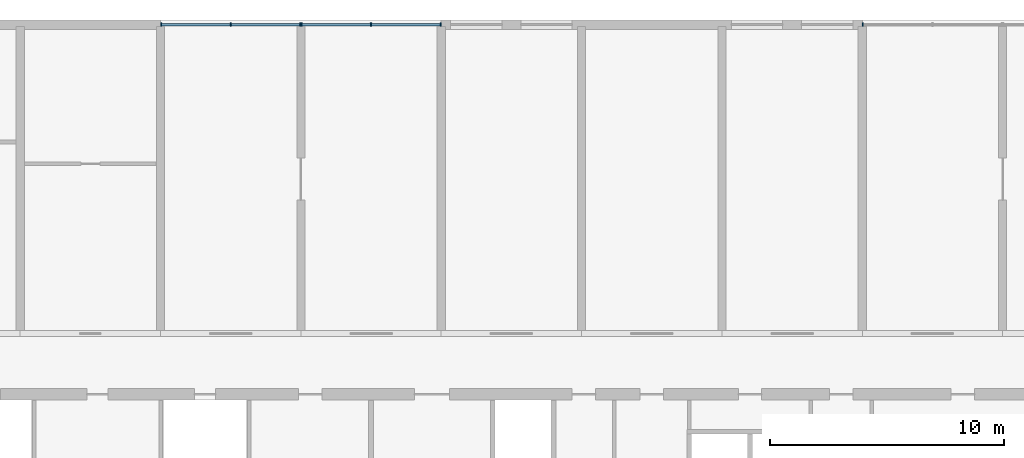
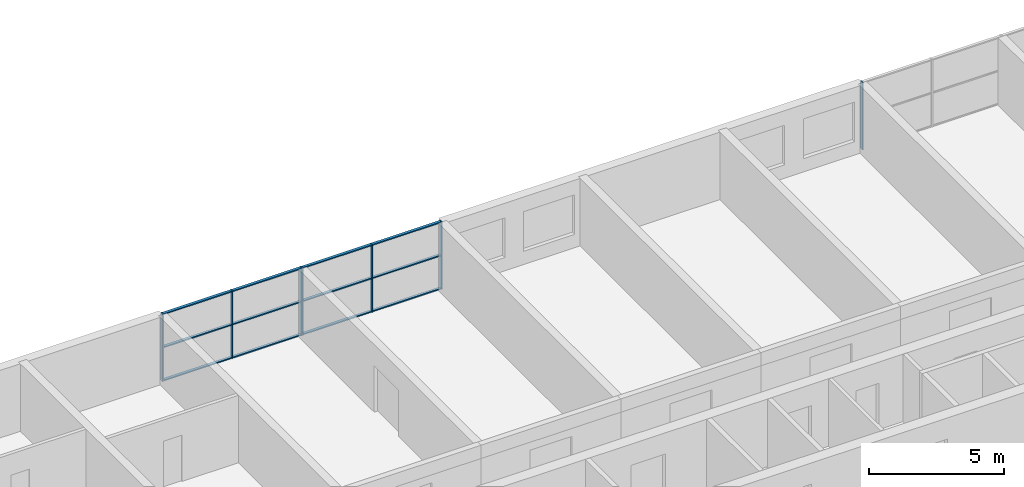
# One storey, part 2 of 18: 19 members, 3 elements without a shape of their own.
"""IFC4 building model written with IfcOpenShell, lengths in metres."""

from ifc_helpers import new_model, si_unit, direction, frame, origin, origin_2d, place, context, subcontext, project, spatial, rectangle, extrude, material, layer, layer_set, material_profile, profile_set, type_object, element, aggregate, save


model = new_model("IFC4")

# Units and contexts
model_context = context("Model", 3, precision=1e-05, world=origin(), true_north=direction((0.0, 1.0)))
body_context = subcontext(model_context, "Body", "Model", "MODEL_VIEW")
ifc_project = project(units=[si_unit("LENGTHUNIT", "METRE"), si_unit("AREAUNIT", "SQUARE_METRE"), si_unit("VOLUMEUNIT", "CUBIC_METRE"), si_unit("PLANEANGLEUNIT", "RADIAN"), si_unit("MASSUNIT", "GRAM", prefix="KILO")], contexts=[model_context])

# Site, building, storey
site_placement = place(None, origin())
site = spatial("IfcSite", under=ifc_project, at=site_placement, CompositionType="ELEMENT")
building_placement = place(site_placement, origin())
building = spatial("IfcBuilding", under=site, at=building_placement, Name="Poui Terraces", CompositionType="ELEMENT")
storey_placement = place(building_placement, frame((0.0, 0.0, 105.89990234375)))
storey = spatial("IfcBuildingStorey", under=building, at=storey_placement, Name="L29", CompositionType="ELEMENT", Elevation=105.89990234375)

# Curtain wall, members
ifc_material_1 = material(Name="Clear glass", Category="glass")
ifc_layer = layer(ifc_material_1, 0.14990234375)
ifc_layer_set = layer_set([ifc_layer], Name="Clear glass")
curtain_wall_type = type_object("IfcCurtainWallType", Name="CURTAIN WALL CW-C COMMUNITY HALL GLAZING", PredefinedType="NOTDEFINED", material=ifc_layer_set)
curtain_wall_1_placement = place(storey_placement, origin())
curtain_wall_1 = element("IfcCurtainWall", 1, at=curtain_wall_1_placement, inside=storey, type_object=curtain_wall_type, Name="CW-C COMMUNITY HALL GLAZING", PredefinedType="NOTDEFINED")
ifc_material_2 = material(Name="Aluminium frame", Category="aluminium")
ifc_material_profile_1 = material_profile(ifc_material_2, rectangle(XDim=0.14990234375, YDim=0.050048828125, at=origin_2d()), Name="CW-C MULLION 50X150")
ifc_profile_set_1 = profile_set([ifc_material_profile_1], Name="Aluminium frame")
member_type_1 = type_object("IfcMemberType", Name="CW-C MULLION 50X150", PredefinedType="MULLION", material=ifc_profile_set_1)
member_1_placement = place(storey_placement, frame((35.97509765625, 43.60009765625, 0.0), z_axis=(0.0, 0.0, 1.0), x_axis=(0.0, -1.0, 0.0)))
member_1 = element("IfcMember", 2, at=member_1_placement, type_object=member_type_1, Name="CW-C mullion 1", PredefinedType="MULLION", context=body_context, shape_type="SweptSolid", body=[
    extrude(rectangle(XDim=0.14990234375, YDim=0.050048828125, at=origin_2d()), origin(), (0.0, 0.0, 1.0), 3.06005859375),
])
member_2_placement = place(storey_placement, frame((33.0, 43.60009765625, 0.0), z_axis=(0.0, 0.0, 1.0), x_axis=(0.0, -1.0, 0.0)))
member_2 = element("IfcMember", 3, at=member_2_placement, type_object=member_type_1, Name="CW-C mullion 2", PredefinedType="MULLION", context=body_context, shape_type="SweptSolid", body=[
    extrude(rectangle(XDim=0.14990234375, YDim=0.050048828125, at=origin_2d()), origin(), (0.0, 0.0, 1.0), 3.06005859375),
])
member_3_placement = place(storey_placement, frame((30.02490234375, 43.60009765625, 0.0), z_axis=(0.0, 0.0, 1.0), x_axis=(0.0, -1.0, 0.0)))
member_3 = element("IfcMember", 4, at=member_3_placement, type_object=member_type_1, Name="CW-C mullion 3", PredefinedType="MULLION", context=body_context, shape_type="SweptSolid", body=[
    extrude(rectangle(XDim=0.14990234375, YDim=0.050048828125, at=origin_2d()), origin(), (0.0, 0.0, 1.0), 3.06005859375),
])

curtain_wall_2_placement = place(storey_placement, origin())
curtain_wall_2 = element("IfcCurtainWall", 5, at=curtain_wall_2_placement, inside=storey, type_object=curtain_wall_type, Name="CW-C COMMUNITY HALL GLAZING", PredefinedType="NOTDEFINED")
member_4_placement = place(storey_placement, frame((41.97509765625, 43.60009765625, 0.0), z_axis=(0.0, 0.0, 1.0), x_axis=(0.0, -1.0, 0.0)))
member_4 = element("IfcMember", 6, at=member_4_placement, type_object=member_type_1, Name="CW-C mullion 1", PredefinedType="MULLION", context=body_context, shape_type="SweptSolid", body=[
    extrude(rectangle(XDim=0.14990234375, YDim=0.050048828125, at=origin_2d()), origin(), (0.0, 0.0, 1.0), 3.06005859375),
])
member_5_placement = place(storey_placement, frame((39.0, 43.60009765625, 0.0), z_axis=(0.0, 0.0, 1.0), x_axis=(0.0, -1.0, 0.0)))
member_5 = element("IfcMember", 7, at=member_5_placement, type_object=member_type_1, Name="CW-C mullion 2", PredefinedType="MULLION", context=body_context, shape_type="SweptSolid", body=[
    extrude(rectangle(XDim=0.14990234375, YDim=0.050048828125, at=origin_2d()), origin(), (0.0, 0.0, 1.0), 3.06005859375),
])
member_6_placement = place(storey_placement, frame((36.02490234375, 43.60009765625, 0.0), z_axis=(0.0, 0.0, 1.0), x_axis=(0.0, -1.0, 0.0)))
member_6 = element("IfcMember", 8, at=member_6_placement, type_object=member_type_1, Name="CW-C mullion 3", PredefinedType="MULLION", context=body_context, shape_type="SweptSolid", body=[
    extrude(rectangle(XDim=0.14990234375, YDim=0.050048828125, at=origin_2d()), origin(), (0.0, 0.0, 1.0), 3.06005859375),
])

# Curtain wall, member
curtain_wall_3_placement = place(storey_placement, origin())
curtain_wall_3 = element("IfcCurtainWall", 9, at=curtain_wall_3_placement, inside=storey, type_object=curtain_wall_type, Name="CW-C COMMUNITY HALL GLAZING", PredefinedType="NOTDEFINED")
member_7_placement = place(storey_placement, frame((60.02490234375, 43.60009765625, 0.0), z_axis=(0.0, 0.0, 1.0), x_axis=(0.0, -1.0, 0.0)))
member_7 = element("IfcMember", 10, at=member_7_placement, type_object=member_type_1, Name="CW-C mullion 3", PredefinedType="MULLION", context=body_context, shape_type="SweptSolid", body=[
    extrude(rectangle(XDim=0.14990234375, YDim=0.050048828125, at=origin_2d()), origin(), (0.0, 0.0, 1.0), 3.06005859375),
])
aggregate(curtain_wall_3, [member_7])

# Member
ifc_material_profile_2 = material_profile(ifc_material_2, rectangle(XDim=0.1201171875, YDim=0.050048828125, at=origin_2d()), Name="CW-C TRANSOM 50X120")
ifc_profile_set_2 = profile_set([ifc_material_profile_2], Name="Aluminium frame")
member_type_2 = type_object("IfcMemberType", Name="CW-C TRANSOM 50X120", PredefinedType="USERDEFINED", material=ifc_profile_set_2)
member_8_placement = place(storey_placement, frame((35.949951171875, 43.60009765625, 0.025146484375), z_axis=(-1.0, 0.0, 0.0), x_axis=(0.0, -1.0, 0.0)))
member_8 = element("IfcMember", 11, at=member_8_placement, type_object=member_type_2, Name="CW-C transom 1.1", ObjectType="TRANSOM", PredefinedType="USERDEFINED", context=body_context, shape_type="SweptSolid", body=[
    extrude(rectangle(XDim=0.1201171875, YDim=0.050048828125, at=origin_2d()), origin(), (0.0, 0.0, 1.0), 2.925048828125),
])

member_9_placement = place(storey_placement, frame((35.949951171875, 43.60009765625, 1.530029296875), z_axis=(-1.0, 0.0, 0.0), x_axis=(0.0, -1.0, 0.0)))
member_9 = element("IfcMember", 12, at=member_9_placement, type_object=member_type_2, Name="CW-C transom 1.2", ObjectType="TRANSOM", PredefinedType="USERDEFINED", context=body_context, shape_type="SweptSolid", body=[
    extrude(rectangle(XDim=0.1201171875, YDim=0.050048828125, at=origin_2d()), origin(), (0.0, 0.0, 1.0), 2.925048828125),
])

member_10_placement = place(storey_placement, frame((35.949951171875, 43.60009765625, 3.03515625), z_axis=(-1.0, 0.0, 0.0), x_axis=(0.0, -1.0, 0.0)))
member_10 = element("IfcMember", 13, at=member_10_placement, type_object=member_type_2, Name="CW-C transom 1.3", ObjectType="TRANSOM", PredefinedType="USERDEFINED", context=body_context, shape_type="SweptSolid", body=[
    extrude(rectangle(XDim=0.1201171875, YDim=0.050048828125, at=origin_2d()), origin(), (0.0, 0.0, 1.0), 2.925048828125),
])

member_11_placement = place(storey_placement, frame((32.97509765625, 43.60009765625, 0.025146484375), z_axis=(-1.0, 0.0, 0.0), x_axis=(0.0, -1.0, 0.0)))
member_11 = element("IfcMember", 14, at=member_11_placement, type_object=member_type_2, Name="CW-C transom 2.1", ObjectType="TRANSOM", PredefinedType="USERDEFINED", context=body_context, shape_type="SweptSolid", body=[
    extrude(rectangle(XDim=0.1201171875, YDim=0.050048828125, at=origin_2d()), origin(), (0.0, 0.0, 1.0), 2.925048828125),
])

member_12_placement = place(storey_placement, frame((32.97509765625, 43.60009765625, 1.530029296875), z_axis=(-1.0, 0.0, 0.0), x_axis=(0.0, -1.0, 0.0)))
member_12 = element("IfcMember", 15, at=member_12_placement, type_object=member_type_2, Name="CW-C transom 2.2", ObjectType="TRANSOM", PredefinedType="USERDEFINED", context=body_context, shape_type="SweptSolid", body=[
    extrude(rectangle(XDim=0.1201171875, YDim=0.050048828125, at=origin_2d()), origin(), (0.0, 0.0, 1.0), 2.925048828125),
])

member_13_placement = place(storey_placement, frame((32.97509765625, 43.60009765625, 3.03515625), z_axis=(-1.0, 0.0, 0.0), x_axis=(0.0, -1.0, 0.0)))
member_13 = element("IfcMember", 16, at=member_13_placement, type_object=member_type_2, Name="CW-C transom 2.3", ObjectType="TRANSOM", PredefinedType="USERDEFINED", context=body_context, shape_type="SweptSolid", body=[
    extrude(rectangle(XDim=0.1201171875, YDim=0.050048828125, at=origin_2d()), origin(), (0.0, 0.0, 1.0), 2.925048828125),
])

aggregate(curtain_wall_1, [member_1, member_2, member_3, member_8, member_9, member_10, member_11, member_12, member_13])

member_14_placement = place(storey_placement, frame((41.949951171875, 43.60009765625, 0.025146484375), z_axis=(-1.0, 0.0, 0.0), x_axis=(0.0, -1.0, 0.0)))
member_14 = element("IfcMember", 17, at=member_14_placement, type_object=member_type_2, Name="CW-C transom 1.1", ObjectType="TRANSOM", PredefinedType="USERDEFINED", context=body_context, shape_type="SweptSolid", body=[
    extrude(rectangle(XDim=0.1201171875, YDim=0.050048828125, at=origin_2d()), origin(), (0.0, 0.0, 1.0), 2.925048828125),
])

member_15_placement = place(storey_placement, frame((41.949951171875, 43.60009765625, 1.530029296875), z_axis=(-1.0, 0.0, 0.0), x_axis=(0.0, -1.0, 0.0)))
member_15 = element("IfcMember", 18, at=member_15_placement, type_object=member_type_2, Name="CW-C transom 1.2", ObjectType="TRANSOM", PredefinedType="USERDEFINED", context=body_context, shape_type="SweptSolid", body=[
    extrude(rectangle(XDim=0.1201171875, YDim=0.050048828125, at=origin_2d()), origin(), (0.0, 0.0, 1.0), 2.925048828125),
])

member_16_placement = place(storey_placement, frame((41.949951171875, 43.60009765625, 3.03515625), z_axis=(-1.0, 0.0, 0.0), x_axis=(0.0, -1.0, 0.0)))
member_16 = element("IfcMember", 19, at=member_16_placement, type_object=member_type_2, Name="CW-C transom 1.3", ObjectType="TRANSOM", PredefinedType="USERDEFINED", context=body_context, shape_type="SweptSolid", body=[
    extrude(rectangle(XDim=0.1201171875, YDim=0.050048828125, at=origin_2d()), origin(), (0.0, 0.0, 1.0), 2.925048828125),
])

member_17_placement = place(storey_placement, frame((38.97509765625, 43.60009765625, 0.025146484375), z_axis=(-1.0, 0.0, 0.0), x_axis=(0.0, -1.0, 0.0)))
member_17 = element("IfcMember", 20, at=member_17_placement, type_object=member_type_2, Name="CW-C transom 2.1", ObjectType="TRANSOM", PredefinedType="USERDEFINED", context=body_context, shape_type="SweptSolid", body=[
    extrude(rectangle(XDim=0.1201171875, YDim=0.050048828125, at=origin_2d()), origin(), (0.0, 0.0, 1.0), 2.925048828125),
])

member_18_placement = place(storey_placement, frame((38.97509765625, 43.60009765625, 1.530029296875), z_axis=(-1.0, 0.0, 0.0), x_axis=(0.0, -1.0, 0.0)))
member_18 = element("IfcMember", 21, at=member_18_placement, type_object=member_type_2, Name="CW-C transom 2.2", ObjectType="TRANSOM", PredefinedType="USERDEFINED", context=body_context, shape_type="SweptSolid", body=[
    extrude(rectangle(XDim=0.1201171875, YDim=0.050048828125, at=origin_2d()), origin(), (0.0, 0.0, 1.0), 2.925048828125),
])

member_19_placement = place(storey_placement, frame((38.97509765625, 43.60009765625, 3.03515625), z_axis=(-1.0, 0.0, 0.0), x_axis=(0.0, -1.0, 0.0)))
member_19 = element("IfcMember", 22, at=member_19_placement, type_object=member_type_2, Name="CW-C transom 2.3", ObjectType="TRANSOM", PredefinedType="USERDEFINED", context=body_context, shape_type="SweptSolid", body=[
    extrude(rectangle(XDim=0.1201171875, YDim=0.050048828125, at=origin_2d()), origin(), (0.0, 0.0, 1.0), 2.925048828125),
])

aggregate(curtain_wall_2, [member_4, member_5, member_6, member_14, member_15, member_16, member_17, member_18, member_19])

save(model, "model.ifc")
